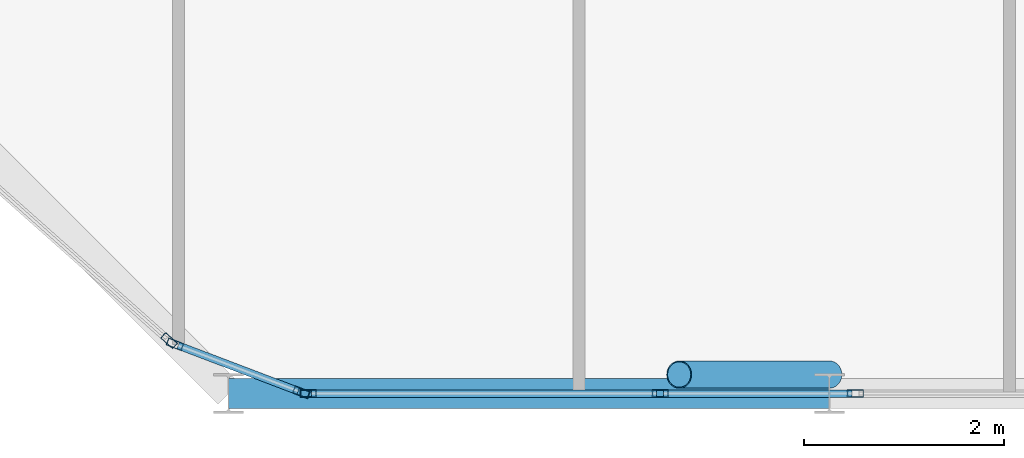
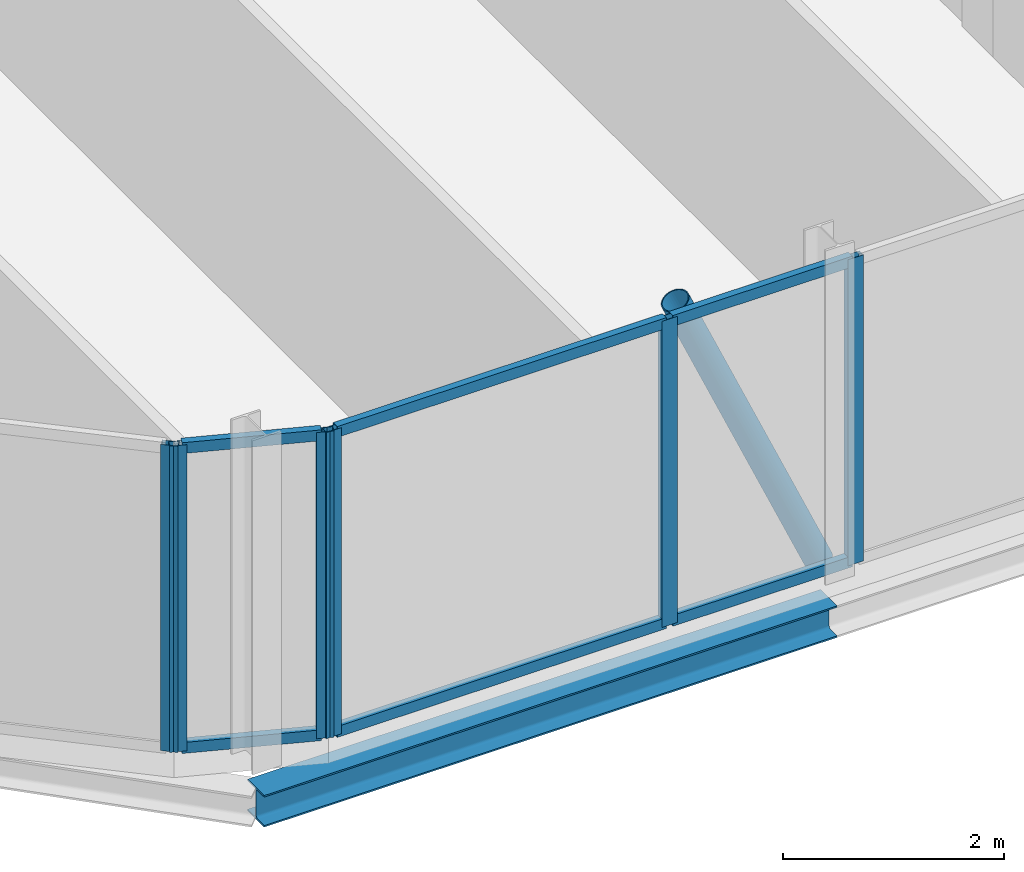
# One storey, part 6 of 27: 13 members, 1 beam, 5 elements without a shape of their own.
"""IFC4 building model written with IfcOpenShell, lengths in metres."""

from ifc_helpers import new_model, si_unit, direction, frame, origin, origin_2d, place, context, subcontext, project, spatial, hollow_rectangle, hollow_circle, i_section, extrude, material, layer, layer_set, material_profile, profile_set, type_object, element, aggregate, save


model = new_model("IFC4")

# Units and contexts
model_context = context("Model", 3, precision=1e-05, world=origin(), true_north=direction((0.0, 1.0)))
body_context = subcontext(model_context, "Body", "Model", "MODEL_VIEW")
ifc_project = project(units=[si_unit("LENGTHUNIT", "METRE"), si_unit("AREAUNIT", "SQUARE_METRE"), si_unit("VOLUMEUNIT", "CUBIC_METRE"), si_unit("PLANEANGLEUNIT", "RADIAN"), si_unit("MASSUNIT", "GRAM", prefix="KILO")], contexts=[model_context])

# Site, building, storey
site_placement = place(None, origin())
site = spatial("IfcSite", under=ifc_project, at=site_placement, CompositionType="ELEMENT")
building_placement = place(site_placement, origin())
building = spatial("IfcBuilding", under=site, at=building_placement, Name="Keshet Zoharim Tower", CompositionType="ELEMENT")
storey_placement = place(building_placement, frame((0.0, 0.0, 269.5)))
storey = spatial("IfcBuildingStorey", under=building, at=storey_placement, Name="L67", CompositionType="ELEMENT", Elevation=269.5)

# Beam
ifc_material_1 = material(Name="Steel S355", Category="steel")
ifc_material_profile_1 = material_profile(ifc_material_1, i_section(OverallWidth=0.300048828125, OverallDepth=0.35009765625, WebThickness=0.010009765625, FlangeThickness=0.017578125, FilletRadius=0.027099609375, at=origin_2d()), Name="HEA360")
ifc_profile_set_1 = profile_set([ifc_material_profile_1], Name="Steel S355")
beam_type = type_object("IfcBeamType", Name="BM-PRI-HA360", PredefinedType="BEAM", material=ifc_profile_set_1)
beam_placement = place(storey_placement, frame((21.0, 6.699951171875, -0.485107421875), z_axis=(1.0, 0.0, 0.0), x_axis=(0.0, 1.0, 0.0)))
element("IfcBeam", 1, at=beam_placement, inside=storey, type_object=beam_type, Name="L67 Primary Girder X-001", PredefinedType="BEAM", context=body_context, shape_type="SweptSolid", body=[
    extrude(i_section(OverallWidth=0.300048828125, OverallDepth=0.35009765625, WebThickness=0.010009765625, FlangeThickness=0.017578125, FilletRadius=0.027099609375, at=origin_2d()), origin(), (0.0, 0.0, 1.0), 6.0),
])

# Curtain wall, member
ifc_material_2 = material(Name="Aluminium 6063-T6", Category="aluminium")
ifc_layer = layer(ifc_material_2, 0.260009765625)
ifc_layer_set = layer_set([ifc_layer], Name="Aluminium 6063-T6")
curtain_wall_type = type_object("IfcCurtainWallType", Name="CW-SYS-06", PredefinedType="NOTDEFINED", material=ifc_layer_set)
curtain_wall_1_placement = place(storey_placement, origin())
curtain_wall_1 = element("IfcCurtainWall", 2, at=curtain_wall_1_placement, inside=storey, type_object=curtain_wall_type, Name="L67 Unitised Curtain Wall 14", PredefinedType="NOTDEFINED")
ifc_material_profile_2 = material_profile(ifc_material_2, hollow_rectangle(XDim=0.074951171875, YDim=0.159912109375, WallThickness=0.00390625, at=origin_2d()), Name="MUL-75x160")
ifc_profile_set_2 = profile_set([ifc_material_profile_2], Name="Aluminium 6063-T6")
member_type_1 = type_object("IfcMemberType", Name="CWM-M15", PredefinedType="MULLION", material=ifc_profile_set_2)
member_1_placement = place(storey_placement, frame((27.259765625, 6.699951171875, 0.0), z_axis=(0.0, 0.0, 1.0), x_axis=(0.0, -1.0, 0.0)))
member_1 = element("IfcMember", 3, at=member_1_placement, type_object=member_type_1, Name="CW-06 mullion 2", PredefinedType="MULLION", context=body_context, shape_type="SweptSolid", body=[
    extrude(hollow_rectangle(XDim=0.074951171875, YDim=0.159912109375, WallThickness=0.00390625, at=origin_2d()), origin(), (0.0, 0.0, 1.0), 3.389892578125),
])
aggregate(curtain_wall_1, [member_1])

curtain_wall_2_placement = place(storey_placement, origin())
curtain_wall_2 = element("IfcCurtainWall", 4, at=curtain_wall_2_placement, inside=storey, type_object=curtain_wall_type, Name="L67 Unitised Curtain Wall 14 Part 2", PredefinedType="NOTDEFINED")
member_2_placement = place(storey_placement, frame((25.310302734375, 6.699951171875, 0.0), z_axis=(0.0, 0.0, 1.0), x_axis=(0.0, -1.0, 0.0)))
member_2 = element("IfcMember", 5, at=member_2_placement, type_object=member_type_1, Name="CW-06 mullion 2", PredefinedType="MULLION", context=body_context, shape_type="SweptSolid", body=[
    extrude(hollow_rectangle(XDim=0.074951171875, YDim=0.159912109375, WallThickness=0.00390625, at=origin_2d()), origin(), (0.0, 0.0, 1.0), 3.389892578125),
])

curtain_wall_3_placement = place(storey_placement, origin())
curtain_wall_3 = element("IfcCurtainWall", 6, at=curtain_wall_3_placement, inside=storey, type_object=curtain_wall_type, Name="L67 Unitised Curtain Wall 14 Part 3", PredefinedType="NOTDEFINED")
member_3_placement = place(storey_placement, frame((21.794921875, 6.699951171875, 0.0), z_axis=(0.0, 0.0, 1.0), x_axis=(0.0, -1.0, 0.0)))
member_3 = element("IfcMember", 7, at=member_3_placement, type_object=member_type_1, Name="CW-06 mullion 2", PredefinedType="MULLION", context=body_context, shape_type="SweptSolid", body=[
    extrude(hollow_rectangle(XDim=0.074951171875, YDim=0.159912109375, WallThickness=0.00390625, at=origin_2d()), origin(), (0.0, 0.0, 1.0), 3.389892578125),
])

# Curtain wall, members
curtain_wall_4_placement = place(storey_placement, origin())
curtain_wall_4 = element("IfcCurtainWall", 8, at=curtain_wall_4_placement, inside=storey, type_object=curtain_wall_type, Name="L67 Unitised Curtain Wall 15", PredefinedType="NOTDEFINED")
member_4_placement = place(storey_placement, frame((21.727294921875, 6.71240234375, 0.0), z_axis=(0.0, 0.0, 1.0), x_axis=(-0.355439161326, -0.934699418314, 0.0)))
member_4 = element("IfcMember", 9, at=member_4_placement, type_object=member_type_1, Name="CW-06 mullion 1", PredefinedType="MULLION", context=body_context, shape_type="SweptSolid", body=[
    extrude(hollow_rectangle(XDim=0.074951171875, YDim=0.159912109375, WallThickness=0.00390625, at=origin_2d()), origin(), (0.0, 0.0, 1.0), 3.389892578125),
])
member_5_placement = place(storey_placement, frame((20.464599609375, 7.192626953125, 0.0), z_axis=(0.0, 0.0, 1.0), x_axis=(-0.355439161326, -0.934699418314, 0.0)))
member_5 = element("IfcMember", 10, at=member_5_placement, type_object=member_type_1, Name="CW-06 mullion 2", PredefinedType="MULLION", context=body_context, shape_type="SweptSolid", body=[
    extrude(hollow_rectangle(XDim=0.074951171875, YDim=0.159912109375, WallThickness=0.00390625, at=origin_2d()), origin(), (0.0, 0.0, 1.0), 3.389892578125),
])

# Curtain wall, member
curtain_wall_5_placement = place(storey_placement, origin())
curtain_wall_5 = element("IfcCurtainWall", 11, at=curtain_wall_5_placement, inside=storey, type_object=curtain_wall_type, Name="L67 Unitised Curtain Wall 16", PredefinedType="NOTDEFINED")
member_6_placement = place(storey_placement, frame((20.40576171875, 7.228271484375, 0.0), z_axis=(0.0, 0.0, 1.0), x_axis=(-0.664362180559, -0.747410792699, 0.0)))
member_6 = element("IfcMember", 12, at=member_6_placement, type_object=member_type_1, Name="CW-06 mullion 1", PredefinedType="MULLION", context=body_context, shape_type="SweptSolid", body=[
    extrude(hollow_rectangle(XDim=0.074951171875, YDim=0.159912109375, WallThickness=0.00390625, at=origin_2d()), origin(), (0.0, 0.0, 1.0), 3.389892578125),
])
aggregate(curtain_wall_5, [member_6])

# Member
ifc_material_profile_3 = material_profile(ifc_material_2, hollow_rectangle(XDim=0.074951171875, YDim=0.1201171875, WallThickness=0.00390625, at=origin_2d()), Name="TRN-75x120")
ifc_profile_set_3 = profile_set([ifc_material_profile_3], Name="Aluminium 6063-T6")
member_type_2 = type_object("IfcMemberType", Name="CWT-T12", PredefinedType="USERDEFINED", material=ifc_profile_set_3)
member_7_placement = place(storey_placement, frame((27.224853515625, 6.699951171875, 0.034912109375), z_axis=(-1.0, 0.0, 0.0), x_axis=(0.0, -1.0, 0.0)))
member_7 = element("IfcMember", 13, at=member_7_placement, type_object=member_type_2, Name="CW-06 transom 1.1", ObjectType="TRANSOM", PredefinedType="USERDEFINED", context=body_context, shape_type="SweptSolid", body=[
    extrude(hollow_rectangle(XDim=0.074951171875, YDim=0.1201171875, WallThickness=0.00390625, at=origin_2d()), origin(), (0.0, 0.0, 1.0), 1.879638671875),
])

member_8_placement = place(storey_placement, frame((27.224853515625, 6.699951171875, 3.35498046875), z_axis=(-1.0, 0.0, 0.0), x_axis=(0.0, -1.0, 0.0)))
member_8 = element("IfcMember", 14, at=member_8_placement, type_object=member_type_2, Name="CW-06 transom 1.2", ObjectType="TRANSOM", PredefinedType="USERDEFINED", context=body_context, shape_type="SweptSolid", body=[
    extrude(hollow_rectangle(XDim=0.074951171875, YDim=0.1201171875, WallThickness=0.00390625, at=origin_2d()), origin(), (0.0, 0.0, 1.0), 1.879638671875),
])

aggregate(curtain_wall_2, [member_2, member_7, member_8])

member_9_placement = place(storey_placement, frame((25.275146484375, 6.699951171875, 0.034912109375), z_axis=(-1.0, 0.0, 0.0), x_axis=(0.0, -1.0, 0.0)))
member_9 = element("IfcMember", 15, at=member_9_placement, type_object=member_type_2, Name="CW-06 transom 1.1", ObjectType="TRANSOM", PredefinedType="USERDEFINED", context=body_context, shape_type="SweptSolid", body=[
    extrude(hollow_rectangle(XDim=0.074951171875, YDim=0.1201171875, WallThickness=0.00390625, at=origin_2d()), origin(), (0.0, 0.0, 1.0), 3.445068359375),
])

member_10_placement = place(storey_placement, frame((25.275146484375, 6.699951171875, 3.35498046875), z_axis=(-1.0, 0.0, 0.0), x_axis=(0.0, -1.0, 0.0)))
member_10 = element("IfcMember", 16, at=member_10_placement, type_object=member_type_2, Name="CW-06 transom 1.2", ObjectType="TRANSOM", PredefinedType="USERDEFINED", context=body_context, shape_type="SweptSolid", body=[
    extrude(hollow_rectangle(XDim=0.074951171875, YDim=0.1201171875, WallThickness=0.00390625, at=origin_2d()), origin(), (0.0, 0.0, 1.0), 3.445068359375),
])

aggregate(curtain_wall_3, [member_3, member_9, member_10])

member_11_placement = place(storey_placement, frame((21.694580078125, 6.724853515625, 0.034912109375), z_axis=(-0.934689881536, 0.355464239206, 0.0), x_axis=(-0.355464239206, -0.934689881536, 0.0)))
member_11 = element("IfcMember", 17, at=member_11_placement, type_object=member_type_2, Name="CW-06 transom 1.1", ObjectType="TRANSOM", PredefinedType="USERDEFINED", context=body_context, shape_type="SweptSolid", body=[
    extrude(hollow_rectangle(XDim=0.074951171875, YDim=0.1201171875, WallThickness=0.00390625, at=origin_2d()), origin(), (0.0, 0.0, 1.0), 1.281005859375),
])

member_12_placement = place(storey_placement, frame((21.694580078125, 6.724853515625, 3.35498046875), z_axis=(-0.934689881536, 0.355464239206, 0.0), x_axis=(-0.355464239206, -0.934689881536, 0.0)))
member_12 = element("IfcMember", 18, at=member_12_placement, type_object=member_type_2, Name="CW-06 transom 1.2", ObjectType="TRANSOM", PredefinedType="USERDEFINED", context=body_context, shape_type="SweptSolid", body=[
    extrude(hollow_rectangle(XDim=0.074951171875, YDim=0.1201171875, WallThickness=0.00390625, at=origin_2d()), origin(), (0.0, 0.0, 1.0), 1.281005859375),
])

aggregate(curtain_wall_4, [member_4, member_5, member_11, member_12])

ifc_material_profile_4 = material_profile(ifc_material_1, hollow_circle(Radius=0.136474609375, WallThickness=0.010009765625, at=origin_2d()), Name="CHS273x10")
ifc_profile_set_4 = profile_set([ifc_material_profile_4], Name="Steel S355")
member_type_3 = type_object("IfcMemberType", Name="MB-BR-C273", PredefinedType="BRACE", material=ifc_profile_set_4)
member_13_placement = place(storey_placement, frame((27.0, 6.889892578125, 0.0), z_axis=(-0.40464689807, 0.0, 0.914473011019), x_axis=(0.0, -1.0, 0.0)))
element("IfcMember", 19, at=member_13_placement, inside=storey, type_object=member_type_3, Name="L67 Perimeter Tube Brace 02", PredefinedType="BRACE", context=body_context, shape_type="SweptSolid", body=[
    extrude(hollow_circle(Radius=0.136474609375, WallThickness=0.010009765625, at=origin_2d()), origin(), (0.0, 0.0, 1.0), 3.70703125),
])

save(model, "model.ifc")
